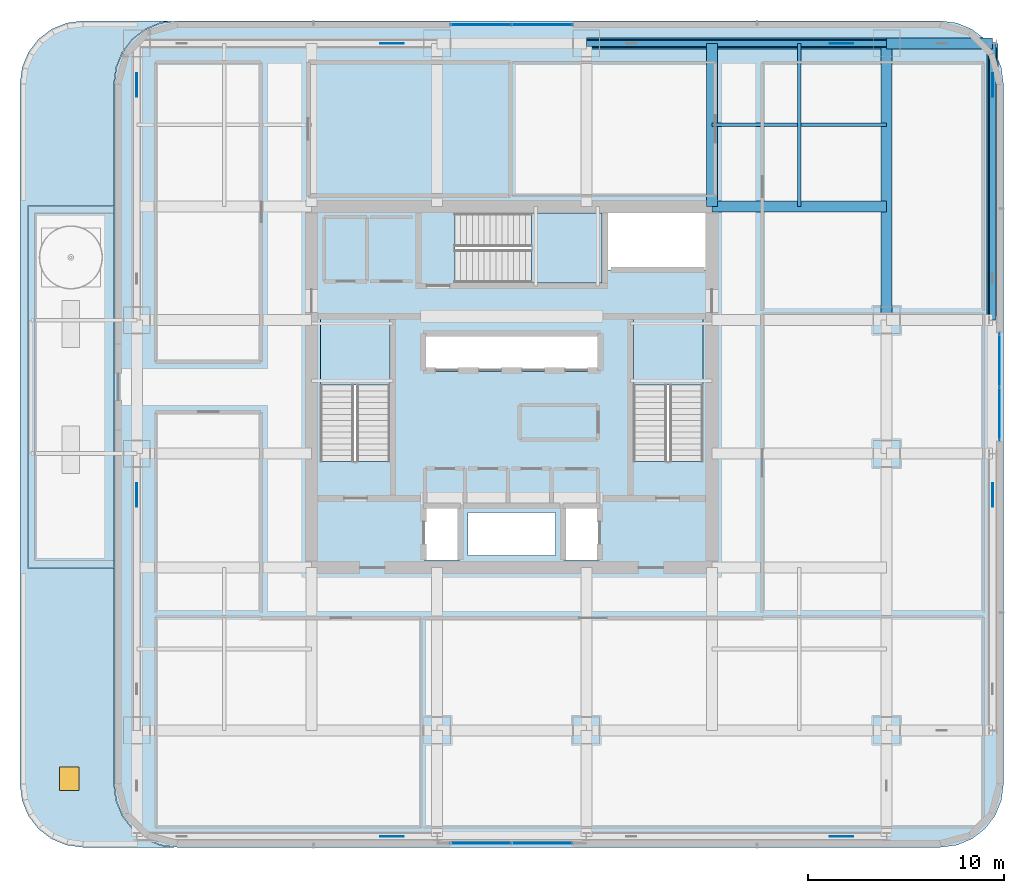
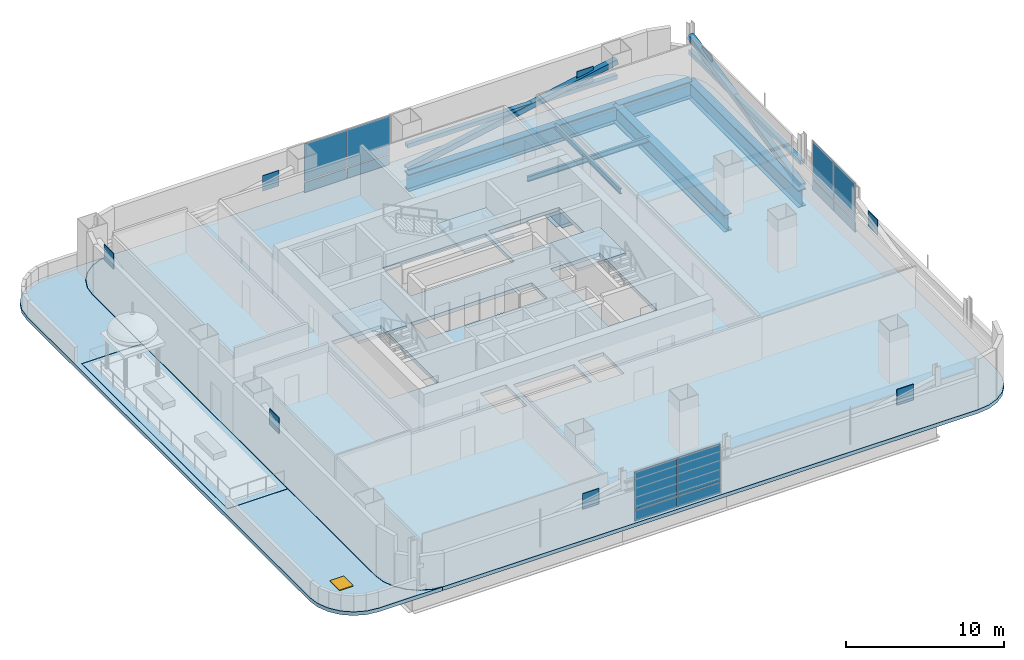
# One storey, part 7 of 27: 20 plates, 8 beams, 6 slabs, 4 members, 1 door, 1 opening, 6 elements without a shape of their own.
"""IFC4 building model written with IfcOpenShell, lengths in metres."""

from ifc_helpers import new_model, si_unit, direction, frame, origin, origin_2d, place, context, subcontext, project, spatial, polyline, rectangle, hollow_rectangle, i_section, outline, extrude, material, layer, layer_set, material_profile, profile_set, type_object, element, fill, aggregate, save


model = new_model("IFC4")

# Units and contexts
model_context = context("Model", 3, precision=1e-05, world=origin(), true_north=direction((0.0, 1.0)))
body_context = subcontext(model_context, "Body", "Model", "MODEL_VIEW")
ifc_project = project(units=[si_unit("LENGTHUNIT", "METRE"), si_unit("AREAUNIT", "SQUARE_METRE"), si_unit("VOLUMEUNIT", "CUBIC_METRE"), si_unit("PLANEANGLEUNIT", "RADIAN"), si_unit("MASSUNIT", "GRAM", prefix="KILO")], contexts=[model_context])

# Site, building, storey
site_placement = place(None, origin())
site = spatial("IfcSite", under=ifc_project, at=site_placement, CompositionType="ELEMENT")
building_placement = place(site_placement, origin())
building = spatial("IfcBuilding", under=site, at=building_placement, Name="Punatoya Terracotta Tower", CompositionType="ELEMENT")
storey_placement = place(building_placement, frame((0.0, 0.0, 204.60009765625)))
storey = spatial("IfcBuildingStorey", under=building, at=storey_placement, Name="L48", CompositionType="ELEMENT", Elevation=204.60009765625)

# Beams
ifc_material_1 = material(Name="Steel S355", Category="steel")
ifc_material_profile_1 = material_profile(ifc_material_1, i_section(OverallWidth=0.179931640625, OverallDepth=0.39990234375, WebThickness=0.008544921875, FlangeThickness=0.013427734375, FilletRadius=0.01806640625, at=origin_2d()))
ifc_profile_set_1 = profile_set([ifc_material_profile_1], Name="Steel S355")
beam_type_1 = type_object("IfcBeamType", Name="BM-SEC-400", PredefinedType="JOIST", material=ifc_profile_set_1)
beam_1_placement = place(storey_placement, frame((10.199951171875, 13.35009765625, -0.47998046875), z_axis=(1.0, 0.0, 0.0), x_axis=(0.0, 1.0, 0.0)))
element("IfcBeam", 1, at=beam_1_placement, inside=storey, type_object=beam_type_1, Name="BM-L48-SJN-2", PredefinedType="JOIST", context=body_context, shape_type="SweptSolid", body=[
    extrude(i_section(OverallWidth=0.179931640625, OverallDepth=0.39990234375, WebThickness=0.008544921875, FlangeThickness=0.013427734375, FilletRadius=0.01806640625, at=origin_2d()), origin(), (0.0, 0.0, 1.0), 8.900146484375),
])
beam_2_placement = place(storey_placement, frame((14.64990234375, 9.199951171875, -0.47998046875), z_axis=(0.0, 1.0, 0.0), x_axis=(-1.0, 0.0, 0.0)))
element("IfcBeam", 2, at=beam_2_placement, inside=storey, type_object=beam_type_1, Name="BM-L48-SJE-2", PredefinedType="JOIST", context=body_context, shape_type="SweptSolid", body=[
    extrude(i_section(OverallWidth=0.179931640625, OverallDepth=0.39990234375, WebThickness=0.008544921875, FlangeThickness=0.013427734375, FilletRadius=0.01806640625, at=origin_2d()), origin(), (0.0, 0.0, 1.0), 8.300048828125),
])
ifc_material_2 = material(Name="Steel S460", Category="steel")
ifc_material_profile_2 = material_profile(ifc_material_2, i_section(OverallWidth=0.56005859375, OverallDepth=1.320068359375, WebThickness=0.035888671875, FlangeThickness=0.054931640625, FilletRadius=0.01806640625, at=origin_2d()))
ifc_profile_set_2 = profile_set([ifc_material_profile_2], Name="Steel S460")
beam_type_2 = type_object("IfcBeamType", Name="BM-TG-BLK", PredefinedType="BEAM", material=ifc_profile_set_2)
beam_3_placement = place(storey_placement, frame((3.800048828125, 17.5, -0.940185546875), z_axis=(1.0, 0.0, 0.0), x_axis=(0.0, 1.0, 0.0)))
element("IfcBeam", 3, at=beam_3_placement, inside=storey, type_object=beam_type_2, Name="BM-L48-RG-N3", PredefinedType="BEAM", context=body_context, shape_type="SweptSolid", body=[
    extrude(i_section(OverallWidth=0.56005859375, OverallDepth=1.320068359375, WebThickness=0.035888671875, FlangeThickness=0.054931640625, FilletRadius=0.01806640625, at=origin_2d()), origin(), (0.0, 0.0, 1.0), 15.300048828125),
])
beam_4_placement = place(storey_placement, frame((19.10009765625, 3.39990234375, -0.940185546875), z_axis=(0.0, 1.0, 0.0), x_axis=(-1.0, 0.0, 0.0)))
element("IfcBeam", 4, at=beam_4_placement, inside=storey, type_object=beam_type_2, Name="BM-L48-RG-E3", PredefinedType="BEAM", context=body_context, shape_type="SweptSolid", body=[
    extrude(i_section(OverallWidth=0.56005859375, OverallDepth=1.320068359375, WebThickness=0.035888671875, FlangeThickness=0.054931640625, FilletRadius=0.01806640625, at=origin_2d()), origin(), (0.0, 0.0, 1.0), 14.10009765625),
])
beam_5_placement = place(storey_placement, frame((10.199951171875, 9.199951171875, -0.940185546875), z_axis=(1.0, 0.0, 0.0), x_axis=(0.0, 1.0, 0.0)))
element("IfcBeam", 5, at=beam_5_placement, inside=storey, type_object=beam_type_2, Name="BM-L48-PR-EN", PredefinedType="BEAM", context=body_context, shape_type="SweptSolid", body=[
    extrude(i_section(OverallWidth=0.56005859375, OverallDepth=1.320068359375, WebThickness=0.035888671875, FlangeThickness=0.054931640625, FilletRadius=0.01806640625, at=origin_2d()), origin(), (0.0, 0.0, 1.0), 8.900146484375),
])
beam_6_placement = place(storey_placement, frame((10.199951171875, 9.199951171875, -0.940185546875), z_axis=(0.0, 1.0, 0.0), x_axis=(-1.0, 0.0, 0.0)))
element("IfcBeam", 6, at=beam_6_placement, inside=storey, type_object=beam_type_2, Name="BM-L48-PR-N4", PredefinedType="BEAM", context=body_context, shape_type="SweptSolid", body=[
    extrude(i_section(OverallWidth=0.56005859375, OverallDepth=1.320068359375, WebThickness=0.035888671875, FlangeThickness=0.054931640625, FilletRadius=0.01806640625, at=origin_2d()), origin(), (0.0, 0.0, 1.0), 8.300048828125),
])
beam_7_placement = place(storey_placement, frame((19.10009765625, 17.5, -0.940185546875), z_axis=(1.0, 0.0, 0.0), x_axis=(0.0, 1.0, 0.0)))
element("IfcBeam", 7, at=beam_7_placement, inside=storey, type_object=beam_type_2, Name="BM-L48-CANT-E4", PredefinedType="BEAM", context=body_context, shape_type="SweptSolid", body=[
    extrude(i_section(OverallWidth=0.56005859375, OverallDepth=1.320068359375, WebThickness=0.035888671875, FlangeThickness=0.054931640625, FilletRadius=0.01806640625, at=origin_2d()), origin(), (0.0, 0.0, 1.0), 5.39990234375),
])
beam_8_placement = place(storey_placement, frame((24.5, 3.39990234375, -0.940185546875), z_axis=(0.0, 1.0, 0.0), x_axis=(-1.0, 0.0, 0.0)))
element("IfcBeam", 8, at=beam_8_placement, inside=storey, type_object=beam_type_2, Name="BM-L48-PER-E3", PredefinedType="BEAM", context=body_context, shape_type="SweptSolid", body=[
    extrude(i_section(OverallWidth=0.56005859375, OverallDepth=1.320068359375, WebThickness=0.035888671875, FlangeThickness=0.054931640625, FilletRadius=0.01806640625, at=origin_2d()), origin(), (0.0, 0.0, 1.0), 14.10009765625),
])

# Members
ifc_material_profile_3 = material_profile(ifc_material_2, hollow_rectangle(XDim=0.320068359375, YDim=0.320068359375, WallThickness=0.01806640625, at=origin_2d()))
ifc_profile_set_3 = profile_set([ifc_material_profile_3], Name="Steel S460")
member_type_1 = type_object("IfcMemberType", Name="MEM-CHD-320", PredefinedType="CHORD", material=ifc_profile_set_3)
member_1_placement = place(storey_placement, frame((3.800048828125, 17.5, 1.849853515625), z_axis=(1.0, 0.0, 0.0), x_axis=(0.0, 1.0, 0.0)))
element("IfcMember", 9, at=member_1_placement, inside=storey, type_object=member_type_1, Name="L48 Exoskeleton Belt Truss Tie Chord N3", PredefinedType="CHORD", context=body_context, shape_type="SweptSolid", body=[
    extrude(hollow_rectangle(XDim=0.320068359375, YDim=0.320068359375, WallThickness=0.01806640625, at=origin_2d()), origin(), (0.0, 0.0, 1.0), 15.300048828125),
])
member_2_placement = place(storey_placement, frame((24.5, 3.39990234375, 1.849853515625), z_axis=(0.0, 1.0, 0.0), x_axis=(-1.0, 0.0, 0.0)))
element("IfcMember", 10, at=member_2_placement, inside=storey, type_object=member_type_1, Name="L48 Exoskeleton Belt Truss Tie Chord E3", PredefinedType="CHORD", context=body_context, shape_type="SweptSolid", body=[
    extrude(hollow_rectangle(XDim=0.320068359375, YDim=0.320068359375, WallThickness=0.01806640625, at=origin_2d()), origin(), (0.0, 0.0, 1.0), 14.10009765625),
])
ifc_material_profile_4 = material_profile(ifc_material_2, hollow_rectangle(XDim=0.39990234375, YDim=0.39990234375, WallThickness=0.02197265625, at=origin_2d()))
ifc_profile_set_4 = profile_set([ifc_material_profile_4], Name="Steel S460")
member_type_2 = type_object("IfcMemberType", Name="MEM-EXO-400", PredefinedType="BRACE", material=ifc_profile_set_4)
member_3_placement = place(storey_placement, frame((3.800048828125, 17.5, 0.02001953125), z_axis=(0.981195428699, 0.0, 0.193016918173), x_axis=(0.0, 1.0, 0.0)))
element("IfcMember", 11, at=member_3_placement, inside=storey, type_object=member_type_2, Name="L48 Exoskeleton Belt Brace N3", PredefinedType="BRACE", context=body_context, shape_type="SweptSolid", body=[
    extrude(hollow_rectangle(XDim=0.39990234375, YDim=0.39990234375, WallThickness=0.02197265625, at=origin_2d()), origin(), (0.0, 0.0, 1.0), 15.59326171875),
])
member_4_placement = place(storey_placement, frame((24.5, 3.39990234375, 0.02001953125), z_axis=(0.0, 0.97796813644, 0.208754219379), x_axis=(-1.0, 0.0, 0.0)))
element("IfcMember", 12, at=member_4_placement, inside=storey, type_object=member_type_2, Name="L48 Exoskeleton Belt Brace E3", PredefinedType="BRACE", context=body_context, shape_type="SweptSolid", body=[
    extrude(hollow_rectangle(XDim=0.39990234375, YDim=0.39990234375, WallThickness=0.02197265625, at=origin_2d()), origin(), (0.0, 0.0, 1.0), 14.417724609375),
])

# Curtain wall, plates
ifc_material_3 = material(Name="Aluminium 6063-T6 + Double Low-E Glass", Category="aluminium")
curtain_wall_type = type_object("IfcCurtainWallType", Name="CW-M2", PredefinedType="NOTDEFINED", material=ifc_material_3)
curtain_wall_1_placement = place(storey_placement, origin())
curtain_wall_1 = element("IfcCurtainWall", 13, at=curtain_wall_1_placement, inside=storey, type_object=curtain_wall_type, Name="L48 Curtain Wall CW-L48-S01-1", PredefinedType="NOTDEFINED")
ifc_material_4 = material(Name="Double Low-E Acoustic Vision Glass", Category="glass")
ifc_layer_1 = layer(ifc_material_4, 0.031982421875)
ifc_layer_set_1 = layer_set([ifc_layer_1], Name="Double Low-E Acoustic Vision Glass")
plate_type_1 = type_object("IfcPlateType", Name="PLT-GLZ-32", PredefinedType="CURTAIN_PANEL", material=ifc_layer_set_1)
plate_1_placement = place(storey_placement, frame((-1.574951171875, -23.25, 0.889892578125), z_axis=(0.0, 0.0, 1.0), x_axis=(1.0, 0.0, 0.0)))
plate_1 = element("IfcPlate", 14, at=plate_1_placement, type_object=plate_type_1, Name="CW-L48-S01-1 Vision Glass Panel 1", PredefinedType="CURTAIN_PANEL", context=body_context, shape_type="SweptSolid", body=[
    extrude(rectangle(XDim=3.06494140625, YDim=0.031982421875, at=origin_2d()), origin(), (0.0, 0.0, 1.0), 2.89990234375),
])
plate_2_placement = place(storey_placement, frame((1.574951171875, -23.25, 0.889892578125), z_axis=(0.0, 0.0, 1.0), x_axis=(1.0, 0.0, 0.0)))
plate_2 = element("IfcPlate", 15, at=plate_2_placement, type_object=plate_type_1, Name="CW-L48-S01-1 Vision Glass Panel 2", PredefinedType="CURTAIN_PANEL", context=body_context, shape_type="SweptSolid", body=[
    extrude(rectangle(XDim=3.06494140625, YDim=0.031982421875, at=origin_2d()), origin(), (0.0, 0.0, 1.0), 2.89990234375),
])

curtain_wall_2_placement = place(storey_placement, origin())
curtain_wall_2 = element("IfcCurtainWall", 16, at=curtain_wall_2_placement, inside=storey, type_object=curtain_wall_type, Name="L48 Curtain Wall CW-L48-E05-1", PredefinedType="NOTDEFINED")
plate_3_placement = place(storey_placement, frame((24.85009765625, -1.375, 0.889892578125), z_axis=(0.0, 0.0, 1.0), x_axis=(0.0, 1.0, 0.0)))
plate_3 = element("IfcPlate", 17, at=plate_3_placement, type_object=plate_type_1, Name="CW-L48-E05-1 Vision Glass Panel 1", PredefinedType="CURTAIN_PANEL", context=body_context, shape_type="SweptSolid", body=[
    extrude(rectangle(XDim=2.6650390625, YDim=0.031982421875, at=origin_2d()), origin(), (0.0, 0.0, 1.0), 2.89990234375),
])
plate_4_placement = place(storey_placement, frame((24.85009765625, 1.375, 0.889892578125), z_axis=(0.0, 0.0, 1.0), x_axis=(0.0, 1.0, 0.0)))
plate_4 = element("IfcPlate", 18, at=plate_4_placement, type_object=plate_type_1, Name="CW-L48-E05-1 Vision Glass Panel 2", PredefinedType="CURTAIN_PANEL", context=body_context, shape_type="SweptSolid", body=[
    extrude(rectangle(XDim=2.6650390625, YDim=0.031982421875, at=origin_2d()), origin(), (0.0, 0.0, 1.0), 2.89990234375),
])

curtain_wall_3_placement = place(storey_placement, origin())
curtain_wall_3 = element("IfcCurtainWall", 19, at=curtain_wall_3_placement, inside=storey, type_object=curtain_wall_type, Name="L48 Curtain Wall CW-L48-N09-1", PredefinedType="NOTDEFINED")
plate_5_placement = place(storey_placement, frame((1.574951171875, 18.449951171875, 0.889892578125), z_axis=(0.0, 0.0, 1.0), x_axis=(-1.0, 0.0, 0.0)))
plate_5 = element("IfcPlate", 20, at=plate_5_placement, type_object=plate_type_1, Name="CW-L48-N09-1 Vision Glass Panel 1", PredefinedType="CURTAIN_PANEL", context=body_context, shape_type="SweptSolid", body=[
    extrude(rectangle(XDim=3.06494140625, YDim=0.031982421875, at=origin_2d()), origin(), (0.0, 0.0, 1.0), 2.89990234375),
])
plate_6_placement = place(storey_placement, frame((-1.574951171875, 18.449951171875, 0.889892578125), z_axis=(0.0, 0.0, 1.0), x_axis=(-1.0, 0.0, 0.0)))
plate_6 = element("IfcPlate", 21, at=plate_6_placement, type_object=plate_type_1, Name="CW-L48-N09-1 Vision Glass Panel 2", PredefinedType="CURTAIN_PANEL", context=body_context, shape_type="SweptSolid", body=[
    extrude(rectangle(XDim=3.06494140625, YDim=0.031982421875, at=origin_2d()), origin(), (0.0, 0.0, 1.0), 2.89990234375),
])

# Plates
ifc_layer_2 = layer(ifc_material_2, 0.044921875)
ifc_layer_set_2 = layer_set([ifc_layer_2], Name="Steel S460")
plate_type_2 = type_object("IfcPlateType", Name="PLT-GUS-45", PredefinedType="USERDEFINED", material=ifc_layer_set_2)
for number, where, z_axis, x_axis, name in (
    (22, (-6.094970703125, -22.89990234375, 1.978515625), (0.0, 0.0, 1.0), (1.0, 0.0, 0.0), "L48 Exoskeleton Node Gusset Plate S1"),
    (23, (16.804931640625, -22.89990234375, 1.978515625), (0.0, 0.0, 1.0), (1.0, 0.0, 0.0), "L48 Exoskeleton Node Gusset Plate S3"),
    (24, (-6.094970703125, 17.5, 1.978515625), (0.0, 0.0, 1.0), (1.0, 0.0, 0.0), "L48 Exoskeleton Node Gusset Plate N1"),
    (25, (16.804931640625, 17.5, 1.978515625), (0.0, 0.0, 1.0), (1.0, 0.0, 0.0), "L48 Exoskeleton Node Gusset Plate N3"),
    (26, (-19.10009765625, -5.514892578125, 1.978515625), (0.0, 0.0, 1.0), (0.0, 1.0, 0.0), "L48 Exoskeleton Node Gusset Plate W1"),
    (27, (-19.10009765625, 15.385009765625, 1.978515625), (0.0, 0.0, 1.0), (0.0, 1.0, 0.0), "L48 Exoskeleton Node Gusset Plate W3"),
    (28, (24.5, -5.514892578125, 1.978515625), (0.0, 0.0, 1.0), (0.0, 1.0, 0.0), "L48 Exoskeleton Node Gusset Plate E1"),
    (29, (24.5, 15.385009765625, 1.978515625), (0.0, 0.0, 1.0), (0.0, 1.0, 0.0), "L48 Exoskeleton Node Gusset Plate E3"),
):
    element("IfcPlate", number, at=place(storey_placement, frame(where, z_axis=z_axis, x_axis=x_axis)), inside=storey, type_object=plate_type_2, Name=name, ObjectType="GUSSET_PLATE", PredefinedType="USERDEFINED", context=body_context, shape_type="SweptSolid", body=[
        extrude(rectangle(XDim=1.199951171875, YDim=0.044921875, at=origin_2d()), origin(), (0.0, 0.0, 1.0), 1.199951171875),
    ])

# Plate
ifc_material_5 = material(Name="Insulated Terracotta-Backed Spandrel Panel", Category="masonry")
ifc_layer_3 = layer(ifc_material_5, 0.044921875)
ifc_layer_set_3 = layer_set([ifc_layer_3], Name="Insulated Terracotta-Backed Spandrel Panel")
plate_type_3 = type_object("IfcPlateType", Name="PLT-SPN-45", PredefinedType="CURTAIN_PANEL", material=ifc_layer_set_3)
plate_7_placement = place(storey_placement, frame((-1.574951171875, -23.25, 0.0400390625), z_axis=(0.0, 0.0, 1.0), x_axis=(1.0, 0.0, 0.0)))
plate_7 = element("IfcPlate", 30, at=plate_7_placement, type_object=plate_type_3, Name="CW-L48-S01-1 Terracotta Spandrel Panel 1", PredefinedType="CURTAIN_PANEL", context=body_context, shape_type="SweptSolid", body=[
    extrude(rectangle(XDim=3.06494140625, YDim=0.044921875, at=origin_2d()), origin(), (0.0, 0.0, 1.0), 0.77490234375),
])

plate_8_placement = place(storey_placement, frame((1.574951171875, -23.25, 0.0400390625), z_axis=(0.0, 0.0, 1.0), x_axis=(1.0, 0.0, 0.0)))
plate_8 = element("IfcPlate", 31, at=plate_8_placement, type_object=plate_type_3, Name="CW-L48-S01-1 Terracotta Spandrel Panel 2", PredefinedType="CURTAIN_PANEL", context=body_context, shape_type="SweptSolid", body=[
    extrude(rectangle(XDim=3.06494140625, YDim=0.044921875, at=origin_2d()), origin(), (0.0, 0.0, 1.0), 0.77490234375),
])

aggregate(curtain_wall_1, [plate_7, plate_1, plate_8, plate_2])

plate_9_placement = place(storey_placement, frame((24.85009765625, -1.375, 0.0400390625), z_axis=(0.0, 0.0, 1.0), x_axis=(0.0, 1.0, 0.0)))
plate_9 = element("IfcPlate", 32, at=plate_9_placement, type_object=plate_type_3, Name="CW-L48-E05-1 Terracotta Spandrel Panel 1", PredefinedType="CURTAIN_PANEL", context=body_context, shape_type="SweptSolid", body=[
    extrude(rectangle(XDim=2.6650390625, YDim=0.044921875, at=origin_2d()), origin(), (0.0, 0.0, 1.0), 0.77490234375),
])

plate_10_placement = place(storey_placement, frame((24.85009765625, 1.375, 0.0400390625), z_axis=(0.0, 0.0, 1.0), x_axis=(0.0, 1.0, 0.0)))
plate_10 = element("IfcPlate", 33, at=plate_10_placement, type_object=plate_type_3, Name="CW-L48-E05-1 Terracotta Spandrel Panel 2", PredefinedType="CURTAIN_PANEL", context=body_context, shape_type="SweptSolid", body=[
    extrude(rectangle(XDim=2.6650390625, YDim=0.044921875, at=origin_2d()), origin(), (0.0, 0.0, 1.0), 0.77490234375),
])

aggregate(curtain_wall_2, [plate_9, plate_3, plate_10, plate_4])

plate_11_placement = place(storey_placement, frame((1.574951171875, 18.449951171875, 0.0400390625), z_axis=(0.0, 0.0, 1.0), x_axis=(-1.0, 0.0, 0.0)))
plate_11 = element("IfcPlate", 34, at=plate_11_placement, type_object=plate_type_3, Name="CW-L48-N09-1 Terracotta Spandrel Panel 1", PredefinedType="CURTAIN_PANEL", context=body_context, shape_type="SweptSolid", body=[
    extrude(rectangle(XDim=3.06494140625, YDim=0.044921875, at=origin_2d()), origin(), (0.0, 0.0, 1.0), 0.77490234375),
])

plate_12_placement = place(storey_placement, frame((-1.574951171875, 18.449951171875, 0.0400390625), z_axis=(0.0, 0.0, 1.0), x_axis=(-1.0, 0.0, 0.0)))
plate_12 = element("IfcPlate", 35, at=plate_12_placement, type_object=plate_type_3, Name="CW-L48-N09-1 Terracotta Spandrel Panel 2", PredefinedType="CURTAIN_PANEL", context=body_context, shape_type="SweptSolid", body=[
    extrude(rectangle(XDim=3.06494140625, YDim=0.044921875, at=origin_2d()), origin(), (0.0, 0.0, 1.0), 0.77490234375),
])

aggregate(curtain_wall_3, [plate_11, plate_5, plate_12, plate_6])

# Stair, slab
ifc_material_6 = material(Name="Concrete C40/50", Category="concrete")
stair_type_1 = type_object("IfcStairType", Name="STR-TER-1450", PredefinedType="HALF_TURN_STAIR", material=ifc_material_6)
stair_1_placement = place(storey_placement, origin())
stair_1 = element("IfcStair", 36, at=stair_1_placement, inside=storey, type_object=stair_type_1, Name="L48 Protected Core Exit Stair ST-3", PredefinedType="HALF_TURN_STAIR")
ifc_layer_4 = layer(ifc_material_6, 0.1650390625)
ifc_layer_set_4 = layer_set([ifc_layer_4], Name="Concrete C40/50")
slab_type_1 = type_object("IfcSlabType", Name="SLB-LND-165", PredefinedType="LANDING", material=ifc_layer_set_4)
slab_1_placement = place(storey_placement, frame((0.0, 0.0, 1.824951171875)))
slab_1 = element("IfcSlab", 37, at=slab_1_placement, type_object=slab_type_1, Name="ST-3 landing 1", PredefinedType="LANDING", context=body_context, shape_type="SweptSolid", body=[
    extrude(outline(polyline([(1.0, 5.300048828125), (4.60009765625, 5.300048828125), (4.60009765625, 8.85009765625), (1.0, 8.85009765625), (1.0, 5.300048828125)])), origin(), (0.0, 0.0, 1.0), 0.199951171875),
])
aggregate(stair_1, [slab_1])

stair_type_2 = type_object("IfcStairType", Name="STR-CORE-1550", PredefinedType="HALF_TURN_STAIR", material=ifc_material_6)
stair_2_placement = place(storey_placement, origin())
stair_2 = element("IfcStair", 38, at=stair_2_placement, inside=storey, type_object=stair_type_2, Name="L48 Protected Core Exit Stair ST-1", PredefinedType="HALF_TURN_STAIR")
ifc_layer_5 = layer(ifc_material_6, 0.179931640625)
ifc_layer_set_5 = layer_set([ifc_layer_5], Name="Concrete C40/50")
slab_type_2 = type_object("IfcSlabType", Name="SLB-LND-180", PredefinedType="LANDING", material=ifc_layer_set_5)
slab_2_placement = place(storey_placement, frame((0.0, 0.0, 1.824951171875)))
slab_2 = element("IfcSlab", 39, at=slab_2_placement, type_object=slab_type_2, Name="ST-1 landing 1", PredefinedType="LANDING", context=body_context, shape_type="SweptSolid", body=[
    extrude(outline(polyline([(-6.199951171875, 0.10009765625), (-6.199951171875, 3.449951171875), (-9.75, 3.449951171875), (-9.75, 0.10009765625), (-6.199951171875, 0.10009765625)])), origin(), (0.0, 0.0, 1.0), 0.199951171875),
])
aggregate(stair_2, [slab_2])

stair_type_3 = type_object("IfcStairType", Name="STR-LOB-1650", PredefinedType="HALF_TURN_STAIR", material=ifc_material_6)
stair_3_placement = place(storey_placement, origin())
stair_3 = element("IfcStair", 40, at=stair_3_placement, inside=storey, type_object=stair_type_3, Name="L48 Protected Core Exit Stair ST-2", PredefinedType="HALF_TURN_STAIR")
slab_3_placement = place(storey_placement, frame((0.0, 0.0, 1.824951171875)))
slab_3 = element("IfcSlab", 41, at=slab_3_placement, type_object=slab_type_2, Name="ST-2 landing 1", PredefinedType="LANDING", context=body_context, shape_type="SweptSolid", body=[
    extrude(outline(polyline([(9.75, 0.10009765625), (9.75, 3.449951171875), (6.199951171875, 3.449951171875), (6.199951171875, 0.10009765625), (9.75, 0.10009765625)])), origin(), (0.0, 0.0, 1.0), 0.199951171875),
])
aggregate(stair_3, [slab_3])

# Slab
ifc_layer_6 = layer(ifc_material_6, 0.280029296875)
ifc_layer_set_6 = layer_set([ifc_layer_6], Name="Concrete C40/50")
slab_type_3 = type_object("IfcSlabType", Name="SLB-POD-280", PredefinedType="FLOOR", material=ifc_layer_set_6)
slab_4_placement = place(storey_placement, frame((0.0, 0.0, -0.280029296875)))
element("IfcSlab", 42, at=slab_4_placement, inside=storey, type_object=slab_type_3, Name="L48 Structural Floor Slab", PredefinedType="FLOOR", context=body_context, shape_type="SweptSolid", body=[
    extrude(outline(polyline([(-17.050048828125, -23.449951171875), (-17.878173828125, -23.341064453125), (-18.64990234375, -23.021240234375), (-19.312744140625, -22.5126953125), (-19.8212890625, -21.85009765625), (-20.14111328125, -21.078125), (-20.25, -20.25), (-20.25, 15.449951171875), (-20.14111328125, 16.2783203125), (-19.8212890625, 17.050048828125), (-19.312744140625, 17.712646484375), (-18.64990234375, 18.22119140625), (-17.878173828125, 18.541015625), (-17.050048828125, 18.64990234375), (21.85009765625, 18.64990234375), (22.67822265625, 18.541015625), (23.449951171875, 18.22119140625), (24.11279296875, 17.712646484375), (24.621337890625, 17.050048828125), (24.94091796875, 16.2783203125), (25.050048828125, 15.449951171875), (25.050048828125, -20.25), (24.94091796875, -21.078125), (24.621337890625, -21.85009765625), (24.11279296875, -22.5126953125), (23.449951171875, -23.021240234375), (22.67822265625, -23.341064453125), (21.85009765625, -23.449951171875), (-17.050048828125, -23.449951171875)]), holes=[polyline([(-2.6298828125, -6.179931640625), (-4.469970703125, -6.179931640625), (-4.469970703125, -8.820068359375), (-2.6298828125, -8.820068359375), (-2.6298828125, -6.179931640625)]), polyline([(0.02001953125, -8.594970703125), (2.219970703125, -8.594970703125), (2.219970703125, -6.405029296875), (0.02001953125, -6.405029296875), (-0.02001953125, -6.405029296875), (-2.219970703125, -6.405029296875), (-2.219970703125, -8.594970703125), (-0.02001953125, -8.594970703125), (0.02001953125, -8.594970703125)]), polyline([(-6.199951171875, 3.449951171875), (-9.75, 3.449951171875), (-9.75, -3.79931640625), (-6.199951171875, -3.79931640625), (-6.199951171875, 3.449951171875)]), polyline([(-4.419921875, 2.719970703125), (-4.419921875, 0.780029296875), (-2.219970703125, 0.780029296875), (-2.179931640625, 0.780029296875), (-0.02001953125, 0.780029296875), (0.02001953125, 0.780029296875), (2.179931640625, 0.780029296875), (2.219970703125, 0.780029296875), (4.419921875, 0.780029296875), (4.419921875, 2.719970703125), (2.219970703125, 2.719970703125), (2.179931640625, 2.719970703125), (0.02001953125, 2.719970703125), (-0.02001953125, 2.719970703125), (-2.179931640625, 2.719970703125), (-2.219970703125, 2.719970703125), (-4.419921875, 2.719970703125)]), polyline([(4.60009765625, 5.300048828125), (4.60009765625, 8.85009765625), (-2.899169921875, 8.85009765625), (-2.899169921875, 5.300048828125), (4.60009765625, 5.300048828125)]), polyline([(4.469970703125, -8.820068359375), (4.469970703125, -6.179931640625), (2.6298828125, -6.179931640625), (2.6298828125, -8.820068359375), (4.469970703125, -8.820068359375)]), polyline([(9.75, 3.449951171875), (6.199951171875, 3.449951171875), (6.199951171875, -3.79931640625), (9.75, -3.79931640625), (9.75, 3.449951171875)]), polyline([(10.050048828125, 5.949951171875), (10.050048828125, 9.050048828125), (4.89990234375, 9.050048828125), (4.89990234375, 5.949951171875), (10.050048828125, 5.949951171875)])]), origin(), (0.0, 0.0, 1.0), 0.280029296875),
])

# Slab, opening, door
ifc_layer_7 = layer(ifc_material_6, 0.280029296875)
ifc_layer_set_7 = layer_set([ifc_layer_7], Name="Concrete C40/50")
slab_type_4 = type_object("IfcSlabType", Name="SLB-ROF-280", PredefinedType="ROOF", material=ifc_layer_set_7)
slab_5_placement = place(storey_placement, frame((0.0, 0.0, -0.280029296875)))
slab_5 = element("IfcSlab", 43, at=slab_5_placement, inside=storey, type_object=slab_type_4, Name="L48 Junction Roof Slab 1 over L47 Plate", PredefinedType="ROOF", context=body_context, shape_type="SweptSolid", body=[
    extrude(outline(polyline([(-23.449951171875, -23.021240234375), (-22.67822265625, -23.341064453125), (-21.85009765625, -23.449951171875), (-17.203369140625, -23.449951171875), (-17.88330078125, -23.360595703125), (-18.66015625, -23.038818359375), (-19.326904296875, -22.527099609375), (-19.8388671875, -21.860107421875), (-20.160400390625, -21.08349609375), (-20.27001953125, -20.251220703125), (-20.27001953125, -9.219970703125), (-24.669921875, -9.219970703125), (-24.669921875, 9.219970703125), (-20.27001953125, 9.219970703125), (-20.27001953125, 15.451416015625), (-20.160400390625, 16.283447265625), (-19.8388671875, 17.06005859375), (-19.326904296875, 17.72705078125), (-18.66015625, 18.23876953125), (-17.88330078125, 18.560546875), (-17.203369140625, 18.64990234375), (-21.85009765625, 18.64990234375), (-22.67822265625, 18.541015625), (-23.449951171875, 18.22119140625), (-24.11279296875, 17.712646484375), (-24.621337890625, 17.050048828125), (-24.94091796875, 16.2783203125), (-25.050048828125, 15.449951171875), (-25.050048828125, -20.25), (-24.94091796875, -21.078125), (-24.621337890625, -21.85009765625), (-24.11279296875, -22.5126953125), (-23.449951171875, -23.021240234375)]), holes=[polyline([(-22.050048828125, -19.35009765625), (-22.050048828125, -20.550048828125), (-23.050048828125, -20.550048828125), (-23.050048828125, -19.35009765625), (-22.050048828125, -19.35009765625)])]), origin(), (0.0, 0.0, 1.0), 0.280029296875),
])
opening_placement = place(slab_5_placement, frame((-22.550048828125, -19.949951171875, 0.0)))
opening = element("IfcOpeningElement", 44, at=opening_placement, cuts=slab_5, Name="Opening RHT-1", PredefinedType="OPENING", context=body_context, shape_type="SweptSolid", body=[
    extrude(rectangle(XDim=1.0, YDim=1.199951171875, at=origin_2d()), frame((0.0, 0.0, -0.010009765625)), (0.0, 0.0, 1.0), 0.35009765625),
])
ifc_material_7 = material(Name="Insulated Aluminium Roof Hatch", Category="aluminium")
door_type = type_object("IfcDoorType", Name="DR-HTCH-1000", OperationType="NOTDEFINED", PredefinedType="TRAPDOOR", material=ifc_material_7)
door_placement = place(opening_placement, frame((0.0, 0.0, 0.280029296875)))
door = element("IfcDoor", 45, at=door_placement, inside=storey, type_object=door_type, Name="L48 Junction Roof Maintenance Hatch 1", OperationType="SINGLE_SWING_LEFT", OverallHeight=1.199951171875, OverallWidth=1.0, PredefinedType="TRAPDOOR", context=body_context, shape_type="SweptSolid", body=[
    extrude(rectangle(XDim=1.0, YDim=1.199951171875, at=origin_2d()), origin(), (0.0, 0.0, 1.0), 0.050048828125),
])
fill(opening, door)

# Slab
ifc_layer_8 = layer(ifc_material_6, 0.22998046875)
ifc_layer_set_8 = layer_set([ifc_layer_8], Name="Concrete C40/50")
slab_type_5 = type_object("IfcSlabType", Name="SLB-TER-230", PredefinedType="FLOOR", material=ifc_layer_set_8)
slab_6_placement = place(storey_placement, frame((0.0, 0.0, -0.22998046875)))
element("IfcSlab", 46, at=slab_6_placement, inside=storey, type_object=slab_type_5, Name="L48 Spiralling Sky Terrace", PredefinedType="FLOOR", context=body_context, shape_type="SweptSolid", body=[
    extrude(outline(polyline([(-24.64990234375, -9.199951171875), (-24.64990234375, 9.199951171875), (-20.27001953125, 9.199951171875), (-20.27001953125, -9.199951171875), (-24.64990234375, -9.199951171875)])), origin(), (0.0, 0.0, 1.0), 0.22998046875),
])

save(model, "model.ifc")
